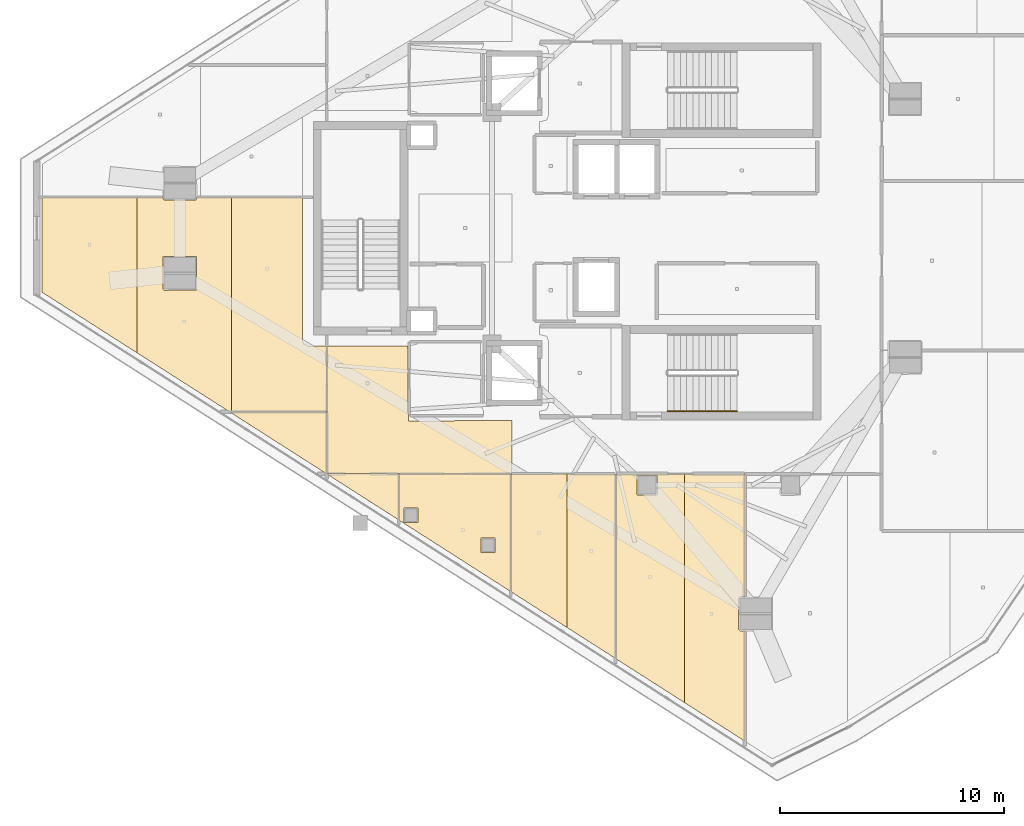
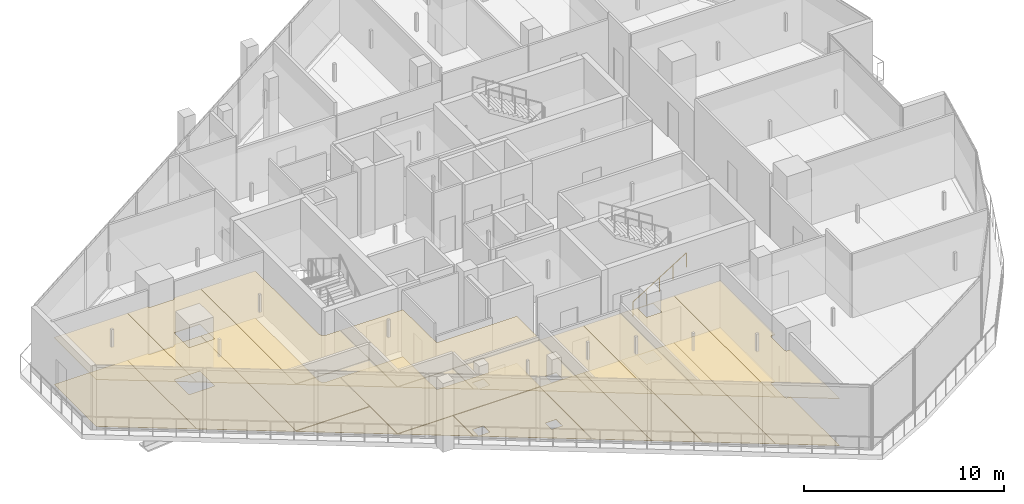
# One storey, part 25 of 29: 20 coverings, 1 railing.
"""IFC4 building model written with IfcOpenShell, lengths in metres."""

import ifcopenshell
import ifcopenshell.guid

model = None  # the IFC model being written
_history = None  # IfcOwnerHistory: only IFC2X3 demands one
_inside = {}  # id of a spatial element -> (the spatial element, [elements in it])
_under = {}  # id of a project, library or spatial element -> (it, [spatial elements below it])
_declared = {}  # id of a project -> (the project, [libraries it declares])
_typed = {}  # id of a type object -> (the type object, [elements of that type])
_made_of = {}  # id of a material, layer set ... -> (it, [elements and type objects made of it])


def new_model(schema):
    """Start an empty IFC model of exactly this schema.

    Asked for "IFC4X3", IfcOpenShell would pick the latest addendum, in which some entities
    have other attributes; the version numbers below select the first issue.
    IFC2X3 requires an IfcOwnerHistory on every rooted entity: one is made here for all.
    """
    global model, _history
    if schema == "IFC4X3":
        model = ifcopenshell.file(schema_version=(4, 3, 0, 0))
    else:
        model = ifcopenshell.file(schema=schema)
    _inside.clear()
    _under.clear()
    _declared.clear()
    _typed.clear()
    _made_of.clear()
    _history = None
    if model.schema == "IFC2X3":
        org = make("IfcOrganization", Name="unknown")
        user = make(
            "IfcPersonAndOrganization",
            ThePerson=make("IfcPerson", FamilyName="unknown"),
            TheOrganization=org,
        )
        app = make(
            "IfcApplication",
            ApplicationDeveloper=org,
            Version="unknown",
            ApplicationFullName="unknown",
            ApplicationIdentifier="unknown",
        )
        _history = make(
            "IfcOwnerHistory",
            OwningUser=user,
            OwningApplication=app,
            ChangeAction="ADDED",
            CreationDate=0,
        )
    return model


def make(cls, **values):
    """One entity of the class cls with the attributes given. An attribute that is None is left unset."""
    return model.create_entity(
        cls, **{name: value for name, value in values.items() if value is not None}
    )


def rooted(cls, **values):
    """An entity with a GlobalId (a new one), such as an element, a storey or a relation."""
    return make(cls, GlobalId=ifcopenshell.guid.new(), OwnerHistory=_history, **values)


def si_unit(unit_type, name, prefix=None):
    """IfcSIUnit, for example si_unit("LENGTHUNIT", "METRE", prefix="MILLI")."""
    return make("IfcSIUnit", UnitType=unit_type, Prefix=prefix, Name=name)


def assignment(units):
    """IfcUnitAssignment: the units of a project."""
    return None if units is None else make("IfcUnitAssignment", Units=units)


def point(xyz):
    """IfcCartesianPoint."""
    return None if xyz is None else make("IfcCartesianPoint", Coordinates=xyz)


def direction(xyz):
    """IfcDirection."""
    return None if xyz is None else make("IfcDirection", DirectionRatios=xyz)


def frame(location, z_axis=None, x_axis=None):
    """IfcAxis2Placement3D, a coordinate frame: its origin and axes. An axis left out is left unset."""
    return make(
        "IfcAxis2Placement3D",
        Location=point(location),
        Axis=direction(z_axis),
        RefDirection=direction(x_axis),
    )


def frame_2d(location, x_axis=None):
    """IfcAxis2Placement2D, a coordinate frame in the plane: its origin and x axis."""
    return make(
        "IfcAxis2Placement2D", Location=point(location), RefDirection=direction(x_axis)
    )


def origin():
    """The frame at (0, 0, 0) with its axes left unset."""
    return frame((0.0, 0.0, 0.0))


def origin_2d():
    """The frame at (0, 0) in the plane with its x axis left unset."""
    return frame_2d((0.0, 0.0))


def place(relative_to, where):
    """IfcLocalPlacement: puts the frame where relative to a parent placement (None: the world)."""
    return make(
        "IfcLocalPlacement", PlacementRelTo=relative_to, RelativePlacement=where
    )


def context(
    kind, dimensions, precision=None, world=None, true_north=None, identifier=None
):
    """IfcGeometricRepresentationContext, for example the 3D "Model" context."""
    return make(
        "IfcGeometricRepresentationContext",
        ContextIdentifier=identifier,
        ContextType=kind,
        CoordinateSpaceDimension=dimensions,
        Precision=precision,
        WorldCoordinateSystem=world,
        TrueNorth=true_north,
    )


def subcontext(parent, identifier, kind, view, scale=None):
    """IfcGeometricRepresentationSubContext, for example "Body" below "Model"."""
    return make(
        "IfcGeometricRepresentationSubContext",
        ContextIdentifier=identifier,
        ContextType=kind,
        ParentContext=parent,
        TargetScale=scale,
        TargetView=view,
    )


def project(units=None, contexts=None):
    """IfcProject with its units and contexts."""
    return rooted(
        "IfcProject",
        Name="project",
        RepresentationContexts=contexts,
        UnitsInContext=assignment(units),
    )


def spatial(cls, under=None, at=None, **own):
    """A site, building, storey or space (cls), placed at a placement, below another one or the project."""
    s = rooted(cls, ObjectPlacement=at, **own)
    if under is not None:
        _under.setdefault(under.id(), (under, []))[1].append(s)
    return s


def polyline(points):
    """IfcPolyline through the points."""
    return make("IfcPolyline", Points=[point(p) for p in points])


def profile(cls, at=None, kind="AREA", **sizes):
    """A parametric profile (cls). Its sizes go by their IFC names, for example OverallWidth=200.0."""
    return make(cls, ProfileType=kind, Position=at, **sizes)


def circle(**sizes):
    """IfcCircleProfileDef."""
    return profile("IfcCircleProfileDef", **sizes)


def outline(outer, holes=None, kind="AREA"):
    """IfcArbitraryClosedProfileDef: a profile drawn as a closed curve; with holes, ...WithVoids."""
    if holes is None:
        return make("IfcArbitraryClosedProfileDef", ProfileType=kind, OuterCurve=outer)
    return make(
        "IfcArbitraryProfileDefWithVoids",
        ProfileType=kind,
        OuterCurve=outer,
        InnerCurves=holes,
    )


def extrude(swept, where, along, depth):
    """IfcExtrudedAreaSolid: the profile swept, set in the frame where, extruded along a direction by depth."""
    return make(
        "IfcExtrudedAreaSolid",
        SweptArea=swept,
        Position=where,
        ExtrudedDirection=direction(along),
        Depth=depth,
    )


def shape(context_of_items, identifier, shape_type, items):
    """IfcShapeRepresentation: the items that make up one representation, for example the "Body"."""
    return make(
        "IfcShapeRepresentation",
        ContextOfItems=context_of_items,
        RepresentationIdentifier=identifier,
        RepresentationType=shape_type,
        Items=items,
    )


def material(Name=None, Category=None):
    """IfcMaterial."""
    return make("IfcMaterial", Name=Name, Category=Category)


def layer(
    of_material, thickness, ventilated=None, Name=None, Category=None, Priority=None
):
    """IfcMaterialLayer: one layer of a wall or slab, of a material (None: an air gap)."""
    return make(
        "IfcMaterialLayer",
        Material=of_material,
        LayerThickness=thickness,
        IsVentilated=ventilated,
        Name=Name,
        Category=Category,
        Priority=Priority,
    )


def layer_set(layers, Name=None):
    """IfcMaterialLayerSet."""
    return make("IfcMaterialLayerSet", MaterialLayers=layers, LayerSetName=Name)


def made_of(thing, what):
    """Note that an element or type object is made of a material, layer set ...; save() writes the relation."""
    if what is not None:
        _made_of.setdefault(what.id(), (what, []))[1].append(thing)
    return thing


def type_object(cls, material=None, **own):
    """A type object (cls), such as IfcWallType, which elements share."""
    return made_of(rooted(cls, **own), material)


def element(
    cls,
    number,
    at=None,
    inside=None,
    cuts=None,
    type_object=None,
    material=None,
    context=None,
    identifier="Body",
    shape_type=None,
    held_by="IfcProductDefinitionShape",
    body=None,
    shapes=None,
    **own,
):
    """One element of the class cls, such as IfcWall. Its Tag is "e" and its number.

    at: its placement. inside: the storey or other place that contains it. cuts: it is an
    opening in that element (IfcRelVoidsElement). A single representation is given by context,
    identifier, shape_type and body (its items); several are given by shapes. held_by: the class
    of the entity that holds the representations. save() writes the other relations.
    """
    e = rooted(cls, Tag="e%d" % number, ObjectPlacement=at, **own)
    if body is not None:
        shapes = [shape(context, identifier, shape_type, body)]
    if shapes is not None:
        e.Representation = make(held_by, Representations=shapes)
    if inside is not None:
        _inside.setdefault(inside.id(), (inside, []))[1].append(e)
    if cuts is not None:
        rooted(
            "IfcRelVoidsElement", RelatingBuildingElement=cuts, RelatedOpeningElement=e
        )
    if type_object is not None:
        _typed.setdefault(type_object.id(), (type_object, []))[1].append(e)
    return made_of(e, material)


def aggregate(whole, parts):
    """IfcRelAggregates: a whole, such as a stair, and the parts it consists of."""
    return rooted("IfcRelAggregates", RelatingObject=whole, RelatedObjects=parts)


def save(model, path):
    """Write the relations noted so far, then the file.

    IfcRelAggregates (storeys below a building ...), IfcRelContainedInSpatialStructure (elements
    in a storey), IfcRelDefinesByType, IfcRelAssociatesMaterial and IfcRelDeclares: one each for
    every whole, place, type object, material and project.
    """
    for whole, parts in _under.values():
        aggregate(whole, parts)
    for where, things in _inside.values():
        rooted(
            "IfcRelContainedInSpatialStructure",
            RelatedElements=things,
            RelatingStructure=where,
        )
    for kind, things in _typed.values():
        rooted("IfcRelDefinesByType", RelatedObjects=things, RelatingType=kind)
    for what, things in _made_of.values():
        rooted("IfcRelAssociatesMaterial", RelatedObjects=things, RelatingMaterial=what)
    for by, libraries in _declared.values():
        rooted("IfcRelDeclares", RelatingContext=by, RelatedDefinitions=libraries)
    model.write(path)


model = new_model("IFC4")

# Units and contexts
model_context = context("Model", 3, precision=1e-05, world=origin(), true_north=direction((0.0, 1.0)))
body_context = subcontext(model_context, "Body", "Model", "MODEL_VIEW")
ifc_project = project(units=[si_unit("LENGTHUNIT", "METRE"), si_unit("AREAUNIT", "SQUARE_METRE"), si_unit("VOLUMEUNIT", "CUBIC_METRE"), si_unit("PLANEANGLEUNIT", "RADIAN"), si_unit("MASSUNIT", "GRAM", prefix="KILO")], contexts=[model_context])

# Site, building, storey
site_placement = place(None, origin())
site = spatial("IfcSite", under=ifc_project, at=site_placement, CompositionType="ELEMENT")
building_placement = place(site_placement, origin())
building = spatial("IfcBuilding", under=site, at=building_placement, Name="Qorvath Tower", CompositionType="ELEMENT")
storey_placement = place(building_placement, frame((0.0, 0.0, 285.0)))
storey = spatial("IfcBuildingStorey", under=building, at=storey_placement, Name="L66", CompositionType="ELEMENT", Elevation=285.0)

# Coverings
ifc_material_1 = material(Name="Acoustic mineral fibre ceiling tile", Category="gypsum")
ifc_layer_1 = layer(ifc_material_1, 0.030029296875)
ifc_layer_set_1 = layer_set([ifc_layer_1], Name="COV-CEIL")
covering_type_1 = type_object("IfcCoveringType", Name="COV-CEIL", PredefinedType="CEILING", material=ifc_layer_set_1)
covering_1_placement = place(storey_placement, frame((0.0, 0.0, 2.85009765625)))
element("IfcCovering", 1, at=covering_1_placement, inside=storey, type_object=covering_type_1, Name="L66 Suspended Acoustic Ceiling 010", PredefinedType="CEILING", context=body_context, shape_type="SweptSolid", body=[
    extrude(outline(polyline([(-34.22509765625, -8.580078125), (-34.251220703125, -5.239990234375), (-37.844970703125, -5.239990234375), (-37.844970703125, -10.919921875), (-29.614990234375, -10.92822265625), (-29.614990234375, -8.5771484375), (-34.22509765625, -8.580078125)])), origin(), (0.0, 0.0, 1.0), 0.030029296875),
])
covering_2_placement = place(storey_placement, frame((0.0, 0.0, 2.85009765625)))
element("IfcCovering", 2, at=covering_2_placement, inside=storey, type_object=covering_type_1, Name="L66 Suspended Acoustic Ceiling 020", PredefinedType="CEILING", context=body_context, shape_type="SweptSolid", body=[
    extrude(outline(polyline([(-34.64501953125, -13.0029296875), (-29.66650390625, -16.184814453125), (-29.66650390625, -10.9462890625), (-34.64501953125, -10.941162109375), (-34.64501953125, -13.0029296875)]), holes=[polyline([(-30.99462890625, -13.806884765625), (-30.35986328125, -13.806884765625), (-30.35986328125, -14.441650390625), (-30.99462890625, -14.441650390625), (-30.99462890625, -13.806884765625)]), polyline([(-34.421630859375, -12.47509765625), (-33.786865234375, -12.47509765625), (-33.786865234375, -13.10986328125), (-34.421630859375, -13.10986328125), (-34.421630859375, -12.47509765625)])]), origin(), (0.0, 0.0, 1.0), 0.030029296875),
])
covering_3_placement = place(storey_placement, frame((0.0, 0.0, 2.85009765625)))
element("IfcCovering", 3, at=covering_3_placement, inside=storey, type_object=covering_type_1, Name="L66 Suspended Acoustic Ceiling 021", PredefinedType="CEILING", context=body_context, shape_type="SweptSolid", body=[
    extrude(outline(polyline([(-29.6484375, -10.9462890625), (-29.6484375, -16.1962890625), (-27.153076171875, -17.791259765625), (-27.153076171875, -10.94873046875), (-29.6484375, -10.9462890625)])), origin(), (0.0, 0.0, 1.0), 0.030029296875),
])
covering_4_placement = place(storey_placement, frame((0.0, 0.0, 2.85009765625)))
element("IfcCovering", 4, at=covering_4_placement, inside=storey, type_object=covering_type_1, Name="L66 Suspended Acoustic Ceiling 022", PredefinedType="CEILING", context=body_context, shape_type="SweptSolid", body=[
    extrude(outline(polyline([(-27.153076171875, -10.94873046875), (-27.153076171875, -17.791259765625), (-24.9990234375, -19.16796875), (-24.9990234375, -10.950927734375), (-27.153076171875, -10.94873046875)])), origin(), (0.0, 0.0, 1.0), 0.030029296875),
])
covering_5_placement = place(storey_placement, frame((0.0, 0.0, 2.85009765625)))
element("IfcCovering", 5, at=covering_5_placement, inside=storey, type_object=covering_type_1, Name="L66 Suspended Acoustic Ceiling 023", PredefinedType="CEILING", context=body_context, shape_type="SweptSolid", body=[
    extrude(outline(polyline([(-24.981201171875, -19.179443359375), (-21.9306640625, -21.129150390625), (-21.9306640625, -10.9541015625), (-24.981201171875, -10.950927734375), (-24.981201171875, -19.179443359375)]), holes=[polyline([(-24.04248046875, -11.892333984375), (-24.04248046875, -11.007568359375), (-23.157470703125, -11.007568359375), (-23.157470703125, -11.892333984375), (-24.04248046875, -11.892333984375)])]), origin(), (0.0, 0.0, 1.0), 0.030029296875),
])
covering_6_placement = place(storey_placement, frame((0.0, 0.0, 2.85009765625)))
element("IfcCovering", 6, at=covering_6_placement, inside=storey, type_object=covering_type_1, Name="L66 Suspended Acoustic Ceiling 024", PredefinedType="CEILING", context=body_context, shape_type="SweptSolid", body=[
    extrude(outline(polyline([(-21.9306640625, -10.9541015625), (-21.9306640625, -21.129150390625), (-19.237548828125, -22.850341796875), (-19.237548828125, -17.935546875), (-19.45068359375, -17.935546875), (-19.510498046875, -17.87548828125), (-19.510498046875, -16.4755859375), (-19.45068359375, -16.41552734375), (-19.237548828125, -16.41552734375), (-19.237548828125, -10.956787109375), (-21.9306640625, -10.9541015625)])), origin(), (0.0, 0.0, 1.0), 0.030029296875),
])
covering_7_placement = place(storey_placement, frame((0.0, 0.0, 2.85009765625)))
element("IfcCovering", 7, at=covering_7_placement, inside=storey, type_object=covering_type_1, Name="L66 Suspended Acoustic Ceiling 036", PredefinedType="CEILING", context=body_context, shape_type="SweptSolid", body=[
    extrude(outline(polyline([(-37.863037109375, -8.1826171875), (-42.187255859375, -8.1826171875), (-34.6630859375, -12.991455078125), (-34.6630859375, -10.941162109375), (-37.863037109375, -10.932861328125), (-37.863037109375, -8.1826171875)])), origin(), (0.0, 0.0, 1.0), 0.030029296875),
])
covering_8_placement = place(storey_placement, frame((0.0, 0.0, 2.85009765625)))
element("IfcCovering", 8, at=covering_8_placement, inside=storey, type_object=covering_type_1, Name="L66 Suspended Acoustic Ceiling 037", PredefinedType="CEILING", context=body_context, shape_type="SweptSolid", body=[
    extrude(outline(polyline([(-50.539306640625, 1.371826171875), (-50.54833984375, -2.8515625), (-46.31982421875, -5.54736328125), (-46.31982421875, 1.37451171875), (-50.539306640625, 1.371826171875)])), origin(), (0.0, 0.0, 1.0), 0.030029296875),
])
covering_9_placement = place(storey_placement, frame((0.0, 0.0, 2.85009765625)))
element("IfcCovering", 9, at=covering_9_placement, inside=storey, type_object=covering_type_1, Name="L66 Suspended Acoustic Ceiling 038", PredefinedType="CEILING", context=body_context, shape_type="SweptSolid", body=[
    extrude(outline(polyline([(-46.31982421875, 1.37451171875), (-46.31982421875, -5.54736328125), (-42.21533203125, -8.16455078125), (-42.091552734375, -8.16455078125), (-42.091552734375, 1.374755859375), (-43.642578125, 1.375244140625), (-43.702392578125, 1.24755859375), (-45.1025390625, 1.24755859375), (-45.16259765625, 1.375244140625), (-46.31982421875, 1.37451171875)]), holes=[polyline([(-45.16259765625, -2.70751953125), (-45.14501953125, -1.26513671875), (-43.66015625, -1.26513671875), (-43.66015625, -2.75), (-45.1025390625, -2.767578125), (-45.16259765625, -2.70751953125)])]), origin(), (0.0, 0.0, 1.0), 0.030029296875),
])
covering_10_placement = place(storey_placement, frame((0.0, 0.0, 2.85009765625)))
element("IfcCovering", 10, at=covering_10_placement, inside=storey, type_object=covering_type_1, Name="L66 Suspended Acoustic Ceiling 039", PredefinedType="CEILING", context=body_context, shape_type="SweptSolid", body=[
    extrude(outline(polyline([(-42.091552734375, 1.374755859375), (-42.091552734375, -8.16455078125), (-37.863037109375, -8.16455078125), (-37.863037109375, -5.239990234375), (-38.699951171875, -5.239990234375), (-38.876708984375, -5.166748046875), (-38.949951171875, -4.989990234375), (-38.949951171875, 1.373779296875), (-42.091552734375, 1.374755859375)])), origin(), (0.0, 0.0, 1.0), 0.030029296875),
])
ifc_material_2 = material(Name="Low-VOC modular carpet tile", Category="textile")
ifc_layer_2 = layer(ifc_material_2, 0.014892578125)
ifc_layer_set_2 = layer_set([ifc_layer_2], Name="COV-FLOOR-CPT")
covering_type_2 = type_object("IfcCoveringType", Name="COV-FLOOR-CPT", PredefinedType="FLOORING", material=ifc_layer_set_2)
covering_11_placement = place(storey_placement, origin())
element("IfcCovering", 11, at=covering_11_placement, inside=storey, type_object=covering_type_2, Name="L66 Floor Finish 020", PredefinedType="FLOORING", context=body_context, shape_type="SweptSolid", body=[
    extrude(outline(polyline([(-34.64501953125, -13.0029296875), (-29.66650390625, -16.184814453125), (-29.66650390625, -10.9462890625), (-34.64501953125, -10.941162109375), (-34.64501953125, -13.0029296875)]), holes=[polyline([(-30.99462890625, -13.806884765625), (-30.35986328125, -13.806884765625), (-30.35986328125, -14.441650390625), (-30.99462890625, -14.441650390625), (-30.99462890625, -13.806884765625)]), polyline([(-34.421630859375, -12.47509765625), (-33.786865234375, -12.47509765625), (-33.786865234375, -13.10986328125), (-34.421630859375, -13.10986328125), (-34.421630859375, -12.47509765625)])]), origin(), (0.0, 0.0, 1.0), 0.014892578125),
])
covering_12_placement = place(storey_placement, origin())
element("IfcCovering", 12, at=covering_12_placement, inside=storey, type_object=covering_type_2, Name="L66 Floor Finish 021", PredefinedType="FLOORING", context=body_context, shape_type="SweptSolid", body=[
    extrude(outline(polyline([(-29.6484375, -10.9462890625), (-29.6484375, -16.1962890625), (-27.153076171875, -17.791259765625), (-27.153076171875, -10.94873046875), (-29.6484375, -10.9462890625)])), origin(), (0.0, 0.0, 1.0), 0.014892578125),
])
covering_13_placement = place(storey_placement, origin())
element("IfcCovering", 13, at=covering_13_placement, inside=storey, type_object=covering_type_2, Name="L66 Floor Finish 022", PredefinedType="FLOORING", context=body_context, shape_type="SweptSolid", body=[
    extrude(outline(polyline([(-27.153076171875, -10.94873046875), (-27.153076171875, -17.791259765625), (-24.9990234375, -19.16796875), (-24.9990234375, -10.950927734375), (-27.153076171875, -10.94873046875)])), origin(), (0.0, 0.0, 1.0), 0.014892578125),
])
covering_14_placement = place(storey_placement, origin())
element("IfcCovering", 14, at=covering_14_placement, inside=storey, type_object=covering_type_2, Name="L66 Floor Finish 023", PredefinedType="FLOORING", context=body_context, shape_type="SweptSolid", body=[
    extrude(outline(polyline([(-24.981201171875, -19.179443359375), (-21.9306640625, -21.129150390625), (-21.9306640625, -10.9541015625), (-24.981201171875, -10.950927734375), (-24.981201171875, -19.179443359375)]), holes=[polyline([(-24.04248046875, -11.892333984375), (-24.04248046875, -11.007568359375), (-23.157470703125, -11.007568359375), (-23.157470703125, -11.892333984375), (-24.04248046875, -11.892333984375)])]), origin(), (0.0, 0.0, 1.0), 0.014892578125),
])
covering_15_placement = place(storey_placement, origin())
element("IfcCovering", 15, at=covering_15_placement, inside=storey, type_object=covering_type_2, Name="L66 Floor Finish 024", PredefinedType="FLOORING", context=body_context, shape_type="SweptSolid", body=[
    extrude(outline(polyline([(-21.9306640625, -10.9541015625), (-21.9306640625, -21.129150390625), (-19.237548828125, -22.850341796875), (-19.237548828125, -17.935546875), (-19.45068359375, -17.935546875), (-19.510498046875, -17.87548828125), (-19.510498046875, -16.4755859375), (-19.45068359375, -16.41552734375), (-19.237548828125, -16.41552734375), (-19.237548828125, -10.956787109375), (-21.9306640625, -10.9541015625)])), origin(), (0.0, 0.0, 1.0), 0.014892578125),
])
covering_16_placement = place(storey_placement, origin())
element("IfcCovering", 16, at=covering_16_placement, inside=storey, type_object=covering_type_2, Name="L66 Floor Finish 036", PredefinedType="FLOORING", context=body_context, shape_type="SweptSolid", body=[
    extrude(outline(polyline([(-37.863037109375, -8.1826171875), (-42.187255859375, -8.1826171875), (-34.6630859375, -12.991455078125), (-34.6630859375, -10.941162109375), (-37.863037109375, -10.932861328125), (-37.863037109375, -8.1826171875)])), origin(), (0.0, 0.0, 1.0), 0.014892578125),
])
covering_17_placement = place(storey_placement, origin())
element("IfcCovering", 17, at=covering_17_placement, inside=storey, type_object=covering_type_2, Name="L66 Floor Finish 037", PredefinedType="FLOORING", context=body_context, shape_type="SweptSolid", body=[
    extrude(outline(polyline([(-50.539306640625, 1.371826171875), (-50.54833984375, -2.8515625), (-46.31982421875, -5.54736328125), (-46.31982421875, 1.37451171875), (-50.539306640625, 1.371826171875)])), origin(), (0.0, 0.0, 1.0), 0.014892578125),
])
covering_18_placement = place(storey_placement, origin())
element("IfcCovering", 18, at=covering_18_placement, inside=storey, type_object=covering_type_2, Name="L66 Floor Finish 038", PredefinedType="FLOORING", context=body_context, shape_type="SweptSolid", body=[
    extrude(outline(polyline([(-46.31982421875, 1.37451171875), (-46.31982421875, -5.54736328125), (-42.21533203125, -8.16455078125), (-42.091552734375, -8.16455078125), (-42.091552734375, 1.374755859375), (-43.642578125, 1.375244140625), (-43.702392578125, 1.24755859375), (-45.1025390625, 1.24755859375), (-45.16259765625, 1.375244140625), (-46.31982421875, 1.37451171875)]), holes=[polyline([(-45.16259765625, -2.70751953125), (-45.14501953125, -1.26513671875), (-43.66015625, -1.26513671875), (-43.66015625, -2.75), (-45.1025390625, -2.767578125), (-45.16259765625, -2.70751953125)])]), origin(), (0.0, 0.0, 1.0), 0.014892578125),
])
covering_19_placement = place(storey_placement, origin())
element("IfcCovering", 19, at=covering_19_placement, inside=storey, type_object=covering_type_2, Name="L66 Floor Finish 039", PredefinedType="FLOORING", context=body_context, shape_type="SweptSolid", body=[
    extrude(outline(polyline([(-42.091552734375, 1.374755859375), (-42.091552734375, -8.16455078125), (-37.863037109375, -8.16455078125), (-37.863037109375, -5.239990234375), (-38.699951171875, -5.239990234375), (-38.876708984375, -5.166748046875), (-38.949951171875, -4.989990234375), (-38.949951171875, 1.373779296875), (-42.091552734375, 1.374755859375)])), origin(), (0.0, 0.0, 1.0), 0.014892578125),
])
ifc_material_3 = material(Name="Polished epoxy terrazzo flooring", Category="concrete")
ifc_layer_3 = layer(ifc_material_3, 0.02001953125)
ifc_layer_set_3 = layer_set([ifc_layer_3], Name="COV-FLOOR-TRZ")
covering_type_3 = type_object("IfcCoveringType", Name="COV-FLOOR-TRZ", PredefinedType="FLOORING", material=ifc_layer_set_3)
covering_20_placement = place(storey_placement, origin())
element("IfcCovering", 20, at=covering_20_placement, inside=storey, type_object=covering_type_3, Name="L66 Floor Finish 010", PredefinedType="FLOORING", context=body_context, shape_type="SweptSolid", body=[
    extrude(outline(polyline([(-34.22509765625, -8.580078125), (-34.251220703125, -5.239990234375), (-37.844970703125, -5.239990234375), (-37.844970703125, -10.919921875), (-29.614990234375, -10.92822265625), (-29.614990234375, -8.5771484375), (-34.22509765625, -8.580078125)])), origin(), (0.0, 0.0, 1.0), 0.014892578125),
])

# Railing
ifc_material_4 = material(Name="Brushed stainless steel AISI 304", Category="steel")
railing_type = type_object("IfcRailingType", Name="RL-STR-HND", PredefinedType="HANDRAIL", material=ifc_material_4)
railing_placement = place(storey_placement, frame((-22.669921875, -8.14990234375, 0.175048828125)))
element("IfcRailing", 21, at=railing_placement, inside=storey, type_object=railing_type, Name="L66 TS2 stair handrail 1", PredefinedType="HANDRAIL", context=body_context, shape_type="SweptSolid", body=[
    extrude(circle(Radius=0.02392578125, at=origin_2d()), frame((0.0, 0.0, 0.8759765625), z_axis=(0.847979421464, 0.0, 0.530029150871), x_axis=(0.0, 1.0, 0.0)), (0.0, 0.0, 1.0), 3.632080078125),
    extrude(circle(Radius=0.02099609375, at=origin_2d()), origin(), (0.0, 0.0, 1.0), 0.851806640625),
    extrude(circle(Radius=0.02099609375, at=origin_2d()), frame((0.77001953125, 0.0, 0.481201171875)), (0.0, 0.0, 1.0), 0.851806640625),
    extrude(circle(Radius=0.02099609375, at=origin_2d()), frame((1.5400390625, 0.0, 0.96240234375)), (0.0, 0.0, 1.0), 0.851806640625),
    extrude(circle(Radius=0.02099609375, at=origin_2d()), frame((2.309814453125, 0.0, 1.44384765625)), (0.0, 0.0, 1.0), 0.851806640625),
    extrude(circle(Radius=0.02099609375, at=origin_2d()), frame((3.079833984375, 0.0, 1.925048828125)), (0.0, 0.0, 1.0), 0.851806640625),
])

save(model, "model.ifc")
